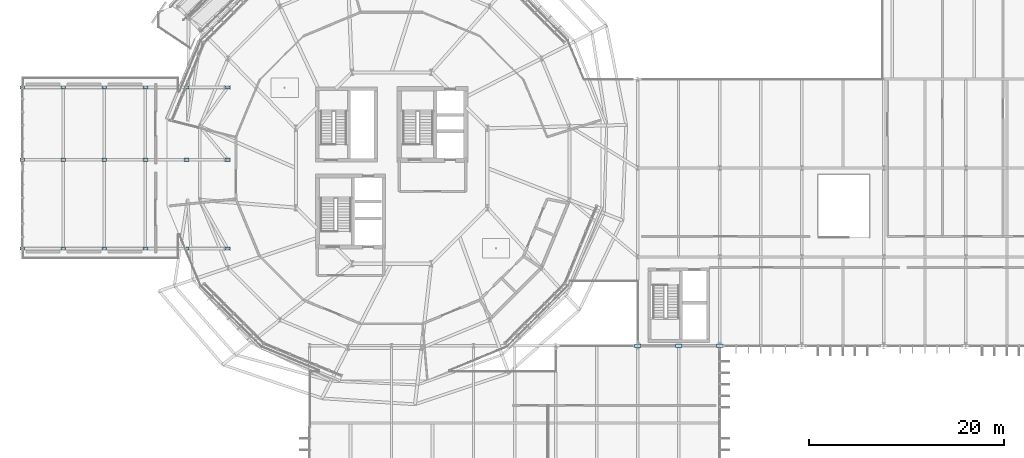
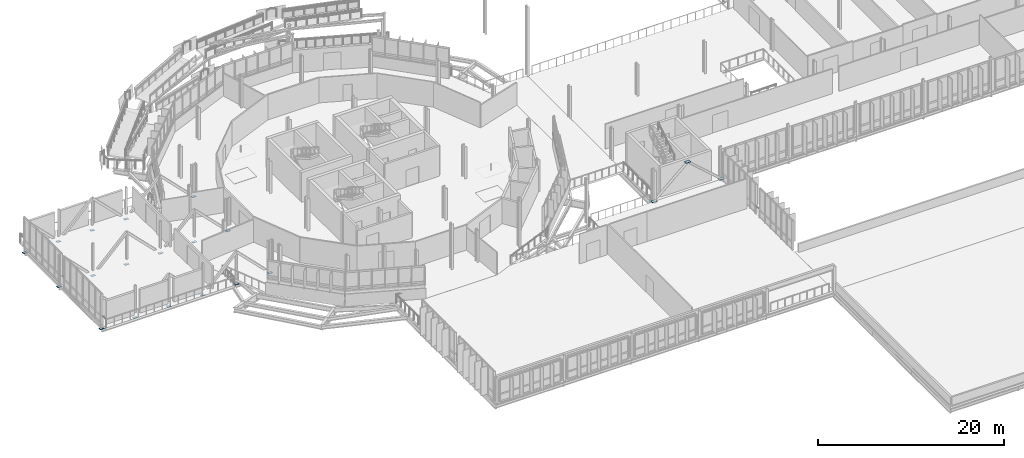
# One storey, part 82 of 107: 21 plates.
"""IFC4 building model written with IfcOpenShell, lengths in metres."""

import ifcopenshell
import ifcopenshell.guid

model = None  # the IFC model being written
_history = None  # IfcOwnerHistory: only IFC2X3 demands one
_inside = {}  # id of a spatial element -> (the spatial element, [elements in it])
_under = {}  # id of a project, library or spatial element -> (it, [spatial elements below it])
_declared = {}  # id of a project -> (the project, [libraries it declares])
_typed = {}  # id of a type object -> (the type object, [elements of that type])
_made_of = {}  # id of a material, layer set ... -> (it, [elements and type objects made of it])


def new_model(schema):
    """Start an empty IFC model of exactly this schema.

    Asked for "IFC4X3", IfcOpenShell would pick the latest addendum, in which some entities
    have other attributes; the version numbers below select the first issue.
    IFC2X3 requires an IfcOwnerHistory on every rooted entity: one is made here for all.
    """
    global model, _history
    if schema == "IFC4X3":
        model = ifcopenshell.file(schema_version=(4, 3, 0, 0))
    else:
        model = ifcopenshell.file(schema=schema)
    _inside.clear()
    _under.clear()
    _declared.clear()
    _typed.clear()
    _made_of.clear()
    _history = None
    if model.schema == "IFC2X3":
        org = make("IfcOrganization", Name="unknown")
        user = make(
            "IfcPersonAndOrganization",
            ThePerson=make("IfcPerson", FamilyName="unknown"),
            TheOrganization=org,
        )
        app = make(
            "IfcApplication",
            ApplicationDeveloper=org,
            Version="unknown",
            ApplicationFullName="unknown",
            ApplicationIdentifier="unknown",
        )
        _history = make(
            "IfcOwnerHistory",
            OwningUser=user,
            OwningApplication=app,
            ChangeAction="ADDED",
            CreationDate=0,
        )
    return model


def make(cls, **values):
    """One entity of the class cls with the attributes given. An attribute that is None is left unset."""
    return model.create_entity(
        cls, **{name: value for name, value in values.items() if value is not None}
    )


def rooted(cls, **values):
    """An entity with a GlobalId (a new one), such as an element, a storey or a relation."""
    return make(cls, GlobalId=ifcopenshell.guid.new(), OwnerHistory=_history, **values)


def si_unit(unit_type, name, prefix=None):
    """IfcSIUnit, for example si_unit("LENGTHUNIT", "METRE", prefix="MILLI")."""
    return make("IfcSIUnit", UnitType=unit_type, Prefix=prefix, Name=name)


def derived_unit(unit_type, elements):
    """IfcDerivedUnit: a product of units, each with its exponent."""
    return make(
        "IfcDerivedUnit",
        Elements=[
            make("IfcDerivedUnitElement", Unit=unit, Exponent=power)
            for unit, power in elements
        ],
        UnitType=unit_type,
    )


def assignment(units):
    """IfcUnitAssignment: the units of a project."""
    return None if units is None else make("IfcUnitAssignment", Units=units)


def point(xyz):
    """IfcCartesianPoint."""
    return None if xyz is None else make("IfcCartesianPoint", Coordinates=xyz)


def direction(xyz):
    """IfcDirection."""
    return None if xyz is None else make("IfcDirection", DirectionRatios=xyz)


def frame(location, z_axis=None, x_axis=None):
    """IfcAxis2Placement3D, a coordinate frame: its origin and axes. An axis left out is left unset."""
    return make(
        "IfcAxis2Placement3D",
        Location=point(location),
        Axis=direction(z_axis),
        RefDirection=direction(x_axis),
    )


def frame_2d(location, x_axis=None):
    """IfcAxis2Placement2D, a coordinate frame in the plane: its origin and x axis."""
    return make(
        "IfcAxis2Placement2D", Location=point(location), RefDirection=direction(x_axis)
    )


def origin():
    """The frame at (0, 0, 0) with its axes left unset."""
    return frame((0.0, 0.0, 0.0))


def origin_2d():
    """The frame at (0, 0) in the plane with its x axis left unset."""
    return frame_2d((0.0, 0.0))


def place(relative_to, where):
    """IfcLocalPlacement: puts the frame where relative to a parent placement (None: the world)."""
    return make(
        "IfcLocalPlacement", PlacementRelTo=relative_to, RelativePlacement=where
    )


def context(
    kind, dimensions, precision=None, world=None, true_north=None, identifier=None
):
    """IfcGeometricRepresentationContext, for example the 3D "Model" context."""
    return make(
        "IfcGeometricRepresentationContext",
        ContextIdentifier=identifier,
        ContextType=kind,
        CoordinateSpaceDimension=dimensions,
        Precision=precision,
        WorldCoordinateSystem=world,
        TrueNorth=true_north,
    )


def subcontext(parent, identifier, kind, view, scale=None):
    """IfcGeometricRepresentationSubContext, for example "Body" below "Model"."""
    return make(
        "IfcGeometricRepresentationSubContext",
        ContextIdentifier=identifier,
        ContextType=kind,
        ParentContext=parent,
        TargetScale=scale,
        TargetView=view,
    )


def project(units=None, contexts=None):
    """IfcProject with its units and contexts."""
    return rooted(
        "IfcProject",
        Name="project",
        RepresentationContexts=contexts,
        UnitsInContext=assignment(units),
    )


def spatial(cls, under=None, at=None, **own):
    """A site, building, storey or space (cls), placed at a placement, below another one or the project."""
    s = rooted(cls, ObjectPlacement=at, **own)
    if under is not None:
        _under.setdefault(under.id(), (under, []))[1].append(s)
    return s


def profile(cls, at=None, kind="AREA", **sizes):
    """A parametric profile (cls). Its sizes go by their IFC names, for example OverallWidth=200.0."""
    return make(cls, ProfileType=kind, Position=at, **sizes)


def rectangle(**sizes):
    """IfcRectangleProfileDef."""
    return profile("IfcRectangleProfileDef", **sizes)


def extrude(swept, where, along, depth):
    """IfcExtrudedAreaSolid: the profile swept, set in the frame where, extruded along a direction by depth."""
    return make(
        "IfcExtrudedAreaSolid",
        SweptArea=swept,
        Position=where,
        ExtrudedDirection=direction(along),
        Depth=depth,
    )


def shape(context_of_items, identifier, shape_type, items):
    """IfcShapeRepresentation: the items that make up one representation, for example the "Body"."""
    return make(
        "IfcShapeRepresentation",
        ContextOfItems=context_of_items,
        RepresentationIdentifier=identifier,
        RepresentationType=shape_type,
        Items=items,
    )


def material(Name=None, Category=None):
    """IfcMaterial."""
    return make("IfcMaterial", Name=Name, Category=Category)


def layer(
    of_material, thickness, ventilated=None, Name=None, Category=None, Priority=None
):
    """IfcMaterialLayer: one layer of a wall or slab, of a material (None: an air gap)."""
    return make(
        "IfcMaterialLayer",
        Material=of_material,
        LayerThickness=thickness,
        IsVentilated=ventilated,
        Name=Name,
        Category=Category,
        Priority=Priority,
    )


def layer_set(layers, Name=None):
    """IfcMaterialLayerSet."""
    return make("IfcMaterialLayerSet", MaterialLayers=layers, LayerSetName=Name)


def made_of(thing, what):
    """Note that an element or type object is made of a material, layer set ...; save() writes the relation."""
    if what is not None:
        _made_of.setdefault(what.id(), (what, []))[1].append(thing)
    return thing


def type_object(cls, material=None, **own):
    """A type object (cls), such as IfcWallType, which elements share."""
    return made_of(rooted(cls, **own), material)


def element(
    cls,
    number,
    at=None,
    inside=None,
    cuts=None,
    type_object=None,
    material=None,
    context=None,
    identifier="Body",
    shape_type=None,
    held_by="IfcProductDefinitionShape",
    body=None,
    shapes=None,
    **own,
):
    """One element of the class cls, such as IfcWall. Its Tag is "e" and its number.

    at: its placement. inside: the storey or other place that contains it. cuts: it is an
    opening in that element (IfcRelVoidsElement). A single representation is given by context,
    identifier, shape_type and body (its items); several are given by shapes. held_by: the class
    of the entity that holds the representations. save() writes the other relations.
    """
    e = rooted(cls, Tag="e%d" % number, ObjectPlacement=at, **own)
    if body is not None:
        shapes = [shape(context, identifier, shape_type, body)]
    if shapes is not None:
        e.Representation = make(held_by, Representations=shapes)
    if inside is not None:
        _inside.setdefault(inside.id(), (inside, []))[1].append(e)
    if cuts is not None:
        rooted(
            "IfcRelVoidsElement", RelatingBuildingElement=cuts, RelatedOpeningElement=e
        )
    if type_object is not None:
        _typed.setdefault(type_object.id(), (type_object, []))[1].append(e)
    return made_of(e, material)


def aggregate(whole, parts):
    """IfcRelAggregates: a whole, such as a stair, and the parts it consists of."""
    return rooted("IfcRelAggregates", RelatingObject=whole, RelatedObjects=parts)


def save(model, path):
    """Write the relations noted so far, then the file.

    IfcRelAggregates (storeys below a building ...), IfcRelContainedInSpatialStructure (elements
    in a storey), IfcRelDefinesByType, IfcRelAssociatesMaterial and IfcRelDeclares: one each for
    every whole, place, type object, material and project.
    """
    for whole, parts in _under.values():
        aggregate(whole, parts)
    for where, things in _inside.values():
        rooted(
            "IfcRelContainedInSpatialStructure",
            RelatedElements=things,
            RelatingStructure=where,
        )
    for kind, things in _typed.values():
        rooted("IfcRelDefinesByType", RelatedObjects=things, RelatingType=kind)
    for what, things in _made_of.values():
        rooted("IfcRelAssociatesMaterial", RelatedObjects=things, RelatingMaterial=what)
    for by, libraries in _declared.values():
        rooted("IfcRelDeclares", RelatingContext=by, RelatedDefinitions=libraries)
    model.write(path)


model = new_model("IFC4")

# Units and contexts
model_context = context("Model", 3, precision=1e-05, world=origin(), true_north=direction((0.0, 1.0)))
body_context = subcontext(model_context, "Body", "Model", "MODEL_VIEW")
ifc_project = project(units=[si_unit("LENGTHUNIT", "METRE"), si_unit("AREAUNIT", "SQUARE_METRE"), si_unit("VOLUMEUNIT", "CUBIC_METRE"), si_unit("PLANEANGLEUNIT", "RADIAN"), si_unit("MASSUNIT", "GRAM", prefix="KILO"), derived_unit("THERMALTRANSMITTANCEUNIT", [(si_unit("MASSUNIT", "GRAM", prefix="KILO"), 1), (si_unit("TIMEUNIT", "SECOND"), -3), (si_unit("THERMODYNAMICTEMPERATUREUNIT", "KELVIN"), -1)])], contexts=[model_context])

# Site, building, storey
site_placement = place(None, origin())
site = spatial("IfcSite", under=ifc_project, at=site_placement, CompositionType="ELEMENT")
building_placement = place(site_placement, origin())
building = spatial("IfcBuilding", under=site, at=building_placement, Name="Makaiwela Harbour Ferry Terminal", CompositionType="ELEMENT")
storey_placement = place(building_placement, frame((0.0, 0.0, 9.60009765625)))
storey = spatial("IfcBuildingStorey", under=building, at=storey_placement, Name="L02", CompositionType="ELEMENT", Elevation=9.60009765625)

# Plates
ifc_material = material(Name="Steel ASTM A572 Grade 50", Category="steel")
ifc_layer_1 = layer(ifc_material, 0.02001953125)
ifc_layer_set_1 = layer_set([ifc_layer_1], Name="Steel ASTM A572 Grade 50")
plate_type_1 = type_object("IfcPlateType", Name="STR-PLT-GUS2", PredefinedType="USERDEFINED", material=ifc_layer_set_1)
for number, where, z_axis, x_axis, name in (
    (1, (21.0, 59.35009765625, -0.695556640625), (0.0, 0.0, 1.0), (1.0, 0.0, 0.0), "Truss Gusset Plate GP-056"),
    (2, (16.800048828125, 59.35009765625, -0.695556640625), (0.0, 0.0, 1.0), (1.0, 0.0, 0.0), "Truss Gusset Plate GP-059"),
    (3, (12.60009765625, 59.35009765625, -0.695556640625), (0.0, 0.0, 1.0), (1.0, 0.0, 0.0), "Truss Gusset Plate GP-062"),
    (4, (8.39990234375, 59.35009765625, -0.695556640625), (0.0, 0.0, 1.0), (1.0, 0.0, 0.0), "Truss Gusset Plate GP-065"),
    (5, (4.199951171875, 59.35009765625, -0.695556640625), (0.0, 0.0, 1.0), (1.0, 0.0, 0.0), "Truss Gusset Plate GP-068"),
    (6, (0.0, 59.35009765625, -0.695556640625), (0.0, 0.0, 1.0), (1.0, 0.0, 0.0), "Truss Gusset Plate GP-071"),
    (7, (21.0, 68.449951171875, -0.695556640625), (0.0, 0.0, 1.0), (1.0, 0.0, 0.0), "Truss Gusset Plate GP-074"),
    (8, (16.800048828125, 68.449951171875, -0.695556640625), (0.0, 0.0, 1.0), (1.0, 0.0, 0.0), "Truss Gusset Plate GP-077"),
    (9, (12.60009765625, 68.449951171875, -0.695556640625), (0.0, 0.0, 1.0), (1.0, 0.0, 0.0), "Truss Gusset Plate GP-080"),
    (10, (8.39990234375, 68.449951171875, -0.695556640625), (0.0, 0.0, 1.0), (1.0, 0.0, 0.0), "Truss Gusset Plate GP-083"),
    (11, (4.199951171875, 68.449951171875, -0.695556640625), (0.0, 0.0, 1.0), (1.0, 0.0, 0.0), "Truss Gusset Plate GP-086"),
    (12, (0.0, 68.449951171875, -0.695556640625), (0.0, 0.0, 1.0), (1.0, 0.0, 0.0), "Truss Gusset Plate GP-089"),
    (13, (21.0, 75.85009765625, -0.695556640625), (0.0, 0.0, 1.0), (1.0, 0.0, 0.0), "Truss Gusset Plate GP-092"),
    (14, (16.800048828125, 75.85009765625, -0.695556640625), (0.0, 0.0, 1.0), (1.0, 0.0, 0.0), "Truss Gusset Plate GP-095"),
    (15, (12.60009765625, 75.85009765625, -0.695556640625), (0.0, 0.0, 1.0), (1.0, 0.0, 0.0), "Truss Gusset Plate GP-098"),
    (16, (8.39990234375, 75.85009765625, -0.695556640625), (0.0, 0.0, 1.0), (1.0, 0.0, 0.0), "Truss Gusset Plate GP-101"),
    (17, (4.199951171875, 75.85009765625, -0.695556640625), (0.0, 0.0, 1.0), (1.0, 0.0, 0.0), "Truss Gusset Plate GP-104"),
    (18, (0.0, 75.85009765625, -0.695556640625), (0.0, 0.0, 1.0), (1.0, 0.0, 0.0), "Truss Gusset Plate GP-107"),
):
    element("IfcPlate", number, at=place(storey_placement, frame(where, z_axis=z_axis, x_axis=x_axis)), inside=storey, type_object=plate_type_1, Name=name, ObjectType="GUSSET PLATE", PredefinedType="USERDEFINED", context=body_context, shape_type="SweptSolid", body=[
        extrude(rectangle(XDim=0.47998046875, YDim=0.320068359375, at=origin_2d()), origin(), (0.0, 0.0, 1.0), 0.02001953125),
    ])
ifc_layer_2 = layer(ifc_material, 0.028076171875)
ifc_layer_set_2 = layer_set([ifc_layer_2], Name="Steel ASTM A572 Grade 50")
plate_type_2 = type_object("IfcPlateType", Name="STR-PLT-GUS3", PredefinedType="USERDEFINED", material=ifc_layer_set_2)
for number, where, z_axis, x_axis, name in (
    (19, (67.199951171875, 49.39990234375, 3.73046875), (0.0, 0.0, 1.0), (1.0, 0.0, 0.0), "Truss Gusset Plate GP-142"),
    (20, (63.0, 49.39990234375, 0.03564453125), (0.0, 0.0, 1.0), (1.0, 0.0, 0.0), "Truss Gusset Plate GP-143"),
    (21, (71.39990234375, 49.39990234375, 0.03564453125), (0.0, 0.0, 1.0), (1.0, 0.0, 0.0), "Truss Gusset Plate GP-144"),
):
    element("IfcPlate", number, at=place(storey_placement, frame(where, z_axis=z_axis, x_axis=x_axis)), inside=storey, type_object=plate_type_2, Name=name, ObjectType="GUSSET PLATE", PredefinedType="USERDEFINED", context=body_context, shape_type="SweptSolid", body=[
        extrude(rectangle(XDim=0.639892578125, YDim=0.39990234375, at=origin_2d()), origin(), (0.0, 0.0, 1.0), 0.028076171875),
    ])

save(model, "model.ifc")
